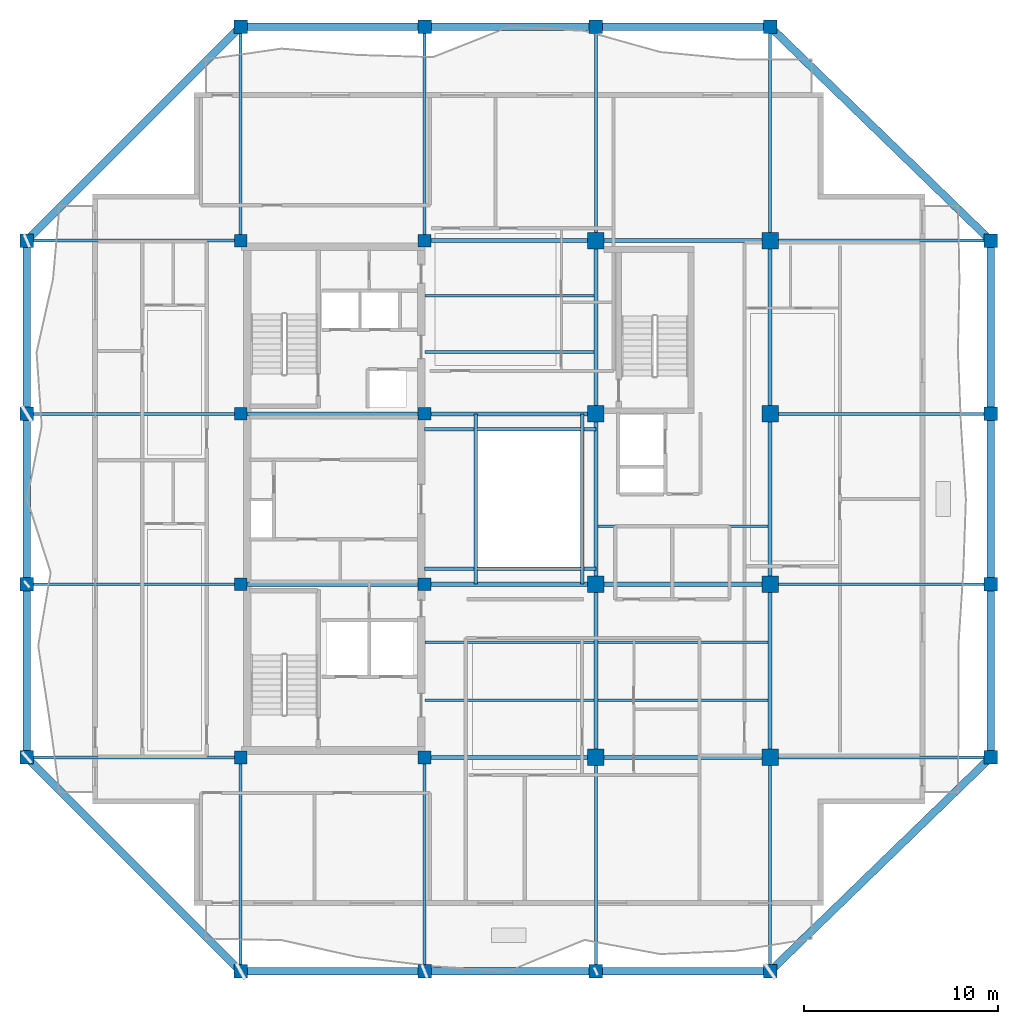
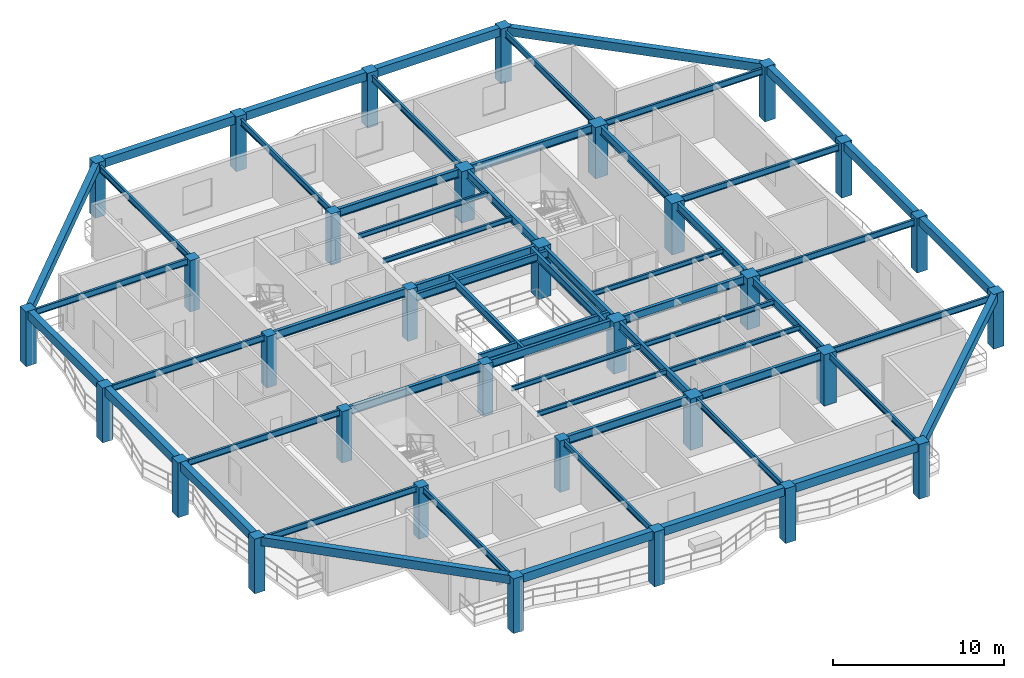
# One storey, part 1 of 11: 58 beams, 32 columns.
"""IFC4 building model written with IfcOpenShell, lengths in metres."""

from ifc_helpers import new_model, si_unit, direction, frame, origin, origin_2d, place, context, subcontext, project, spatial, rectangle, i_section, extrude, material, material_profile, profile_set, type_object, element, save


model = new_model("IFC4")

# Units and contexts
model_context = context("Model", 3, precision=1e-05, world=origin(), true_north=direction((0.0, 1.0)))
body_context = subcontext(model_context, "Body", "Model", "MODEL_VIEW")
ifc_project = project(units=[si_unit("LENGTHUNIT", "METRE"), si_unit("AREAUNIT", "SQUARE_METRE"), si_unit("VOLUMEUNIT", "CUBIC_METRE"), si_unit("PLANEANGLEUNIT", "RADIAN"), si_unit("MASSUNIT", "GRAM", prefix="KILO")], contexts=[model_context])

# Site, building, storey
site_placement = place(None, origin())
site = spatial("IfcSite", under=ifc_project, at=site_placement, CompositionType="ELEMENT")
building_placement = place(site_placement, origin())
building = spatial("IfcBuilding", under=site, at=building_placement, Name="Kundavana Baori Tower", CompositionType="ELEMENT")
storey_placement = place(building_placement, frame((0.0, 0.0, 249.199951171875)))
storey = spatial("IfcBuildingStorey", under=building, at=storey_placement, Name="L61", CompositionType="ELEMENT", Elevation=249.199951171875)

# Columns
ifc_material_1 = material(Name="Concrete C50/60", Category="concrete")
ifc_material_profile_1 = material_profile(ifc_material_1, rectangle(XDim=0.699951171875, YDim=0.699951171875, at=origin_2d()), Name="RC PF 700x700")
ifc_profile_set_1 = profile_set([ifc_material_profile_1], Name="Concrete C50/60")
column_type_1 = type_object("IfcColumnType", Name="COL-PF-700", PredefinedType="COLUMN", material=ifc_profile_set_1)
for number, where, z_axis, x_axis, name in (
    (1, (15.449951171875, 4.199951171875, 0.0), (0.0, 0.0, 1.0), (1.0, 0.0, 0.0), "L61 Stone-Clad Perimeter Frame Column PF-S1"),
    (2, (15.449951171875, 53.0, 0.0), (0.0, 0.0, 1.0), (1.0, 0.0, 0.0), "L61 Stone-Clad Perimeter Frame Column PF-N1"),
    (3, (24.949951171875, 4.199951171875, 0.0), (0.0, 0.0, 1.0), (1.0, 0.0, 0.0), "L61 Stone-Clad Perimeter Frame Column PF-S2"),
    (4, (24.949951171875, 53.0, 0.0), (0.0, 0.0, 1.0), (1.0, 0.0, 0.0), "L61 Stone-Clad Perimeter Frame Column PF-N2"),
    (5, (33.800048828125, 4.199951171875, 0.0), (0.0, 0.0, 1.0), (1.0, 0.0, 0.0), "L61 Stone-Clad Perimeter Frame Column PF-S3"),
    (6, (33.800048828125, 53.0, 0.0), (0.0, 0.0, 1.0), (1.0, 0.0, 0.0), "L61 Stone-Clad Perimeter Frame Column PF-N3"),
    (7, (42.800048828125, 4.199951171875, 0.0), (0.0, 0.0, 1.0), (1.0, 0.0, 0.0), "L61 Stone-Clad Perimeter Frame Column PF-S4"),
    (8, (42.800048828125, 53.0, 0.0), (0.0, 0.0, 1.0), (1.0, 0.0, 0.0), "L61 Stone-Clad Perimeter Frame Column PF-N4"),
    (9, (4.39990234375, 15.25, 0.0), (0.0, 0.0, 1.0), (1.0, 0.0, 0.0), "L61 Stone-Clad Perimeter Frame Column PF-W1"),
    (10, (54.199951171875, 15.25, 0.0), (0.0, 0.0, 1.0), (1.0, 0.0, 0.0), "L61 Stone-Clad Perimeter Frame Column PF-E1"),
    (11, (4.39990234375, 24.199951171875, 0.0), (0.0, 0.0, 1.0), (1.0, 0.0, 0.0), "L61 Stone-Clad Perimeter Frame Column PF-W2"),
    (12, (54.199951171875, 24.199951171875, 0.0), (0.0, 0.0, 1.0), (1.0, 0.0, 0.0), "L61 Stone-Clad Perimeter Frame Column PF-E2"),
    (13, (4.39990234375, 33.0, 0.0), (0.0, 0.0, 1.0), (1.0, 0.0, 0.0), "L61 Stone-Clad Perimeter Frame Column PF-W3"),
    (14, (54.199951171875, 33.0, 0.0), (0.0, 0.0, 1.0), (1.0, 0.0, 0.0), "L61 Stone-Clad Perimeter Frame Column PF-E3"),
    (15, (4.39990234375, 41.949951171875, 0.0), (0.0, 0.0, 1.0), (1.0, 0.0, 0.0), "L61 Stone-Clad Perimeter Frame Column PF-W4"),
    (16, (54.199951171875, 41.949951171875, 0.0), (0.0, 0.0, 1.0), (1.0, 0.0, 0.0), "L61 Stone-Clad Perimeter Frame Column PF-E4"),
):
    element("IfcColumn", number, at=place(storey_placement, frame(where, z_axis=z_axis, x_axis=x_axis)), inside=storey, type_object=column_type_1, Name=name, PredefinedType="COLUMN", context=body_context, shape_type="SweptSolid", body=[
        extrude(rectangle(XDim=0.699951171875, YDim=0.699951171875, at=origin_2d()), origin(), (0.0, 0.0, 1.0), 3.900146484375),
    ])
ifc_material_2 = material(Name="Concrete C50/60", Category="concrete")
ifc_material_profile_2 = material_profile(ifc_material_2, rectangle(XDim=0.64990234375, YDim=0.64990234375, at=origin_2d()), Name="RC 650x650")
ifc_profile_set_2 = profile_set([ifc_material_profile_2], Name="Concrete C50/60")
column_type_2 = type_object("IfcColumnType", Name="COL-RC-650", PredefinedType="COLUMN", material=ifc_profile_set_2)
for number, where, z_axis, x_axis, name in (
    (17, (15.449951171875, 15.25, 0.0), (0.0, 0.0, 1.0), (1.0, 0.0, 0.0), "L61 Interior Column IC-3C"),
    (18, (15.449951171875, 24.199951171875, 0.0), (0.0, 0.0, 1.0), (1.0, 0.0, 0.0), "L61 Interior Column IC-3D"),
    (19, (15.449951171875, 33.0, 0.0), (0.0, 0.0, 1.0), (1.0, 0.0, 0.0), "L61 Interior Column IC-3E"),
    (20, (15.449951171875, 41.949951171875, 0.0), (0.0, 0.0, 1.0), (1.0, 0.0, 0.0), "L61 Interior Column IC-3F"),
    (21, (24.949951171875, 15.25, 0.0), (0.0, 0.0, 1.0), (1.0, 0.0, 0.0), "L61 Interior Column IC-4C"),
    (22, (24.949951171875, 24.199951171875, 0.0), (0.0, 0.0, 1.0), (1.0, 0.0, 0.0), "L61 Interior Column IC-4D"),
    (23, (24.949951171875, 33.0, 0.0), (0.0, 0.0, 1.0), (1.0, 0.0, 0.0), "L61 Interior Column IC-4E"),
    (24, (24.949951171875, 41.949951171875, 0.0), (0.0, 0.0, 1.0), (1.0, 0.0, 0.0), "L61 Interior Column IC-4F"),
):
    element("IfcColumn", number, at=place(storey_placement, frame(where, z_axis=z_axis, x_axis=x_axis)), inside=storey, type_object=column_type_2, Name=name, PredefinedType="COLUMN", context=body_context, shape_type="SweptSolid", body=[
        extrude(rectangle(XDim=0.64990234375, YDim=0.64990234375, at=origin_2d()), origin(), (0.0, 0.0, 1.0), 3.66015625),
    ])
ifc_material_3 = material(Name="Concrete C50/60", Category="concrete")
ifc_material_profile_3 = material_profile(ifc_material_3, rectangle(XDim=0.85009765625, YDim=0.85009765625, at=origin_2d()), Name="RC 850x850")
ifc_profile_set_3 = profile_set([ifc_material_profile_3], Name="Concrete C50/60")
column_type_3 = type_object("IfcColumnType", Name="COL-RC-850", PredefinedType="COLUMN", material=ifc_profile_set_3)
for number, where, z_axis, x_axis, name in (
    (25, (33.800048828125, 15.25, 0.0), (0.0, 0.0, 1.0), (1.0, 0.0, 0.0), "L61 Interior Column IC-5C"),
    (26, (33.800048828125, 24.199951171875, 0.0), (0.0, 0.0, 1.0), (1.0, 0.0, 0.0), "L61 Interior Column IC-5D"),
    (27, (33.800048828125, 33.0, 0.0), (0.0, 0.0, 1.0), (1.0, 0.0, 0.0), "L61 Interior Column IC-5E"),
    (28, (33.800048828125, 41.949951171875, 0.0), (0.0, 0.0, 1.0), (1.0, 0.0, 0.0), "L61 Interior Column IC-5F"),
    (29, (42.800048828125, 15.25, 0.0), (0.0, 0.0, 1.0), (1.0, 0.0, 0.0), "L61 Interior Column IC-6C"),
    (30, (42.800048828125, 24.199951171875, 0.0), (0.0, 0.0, 1.0), (1.0, 0.0, 0.0), "L61 Interior Column IC-6D"),
    (31, (42.800048828125, 33.0, 0.0), (0.0, 0.0, 1.0), (1.0, 0.0, 0.0), "L61 Interior Column IC-6E"),
    (32, (42.800048828125, 41.949951171875, 0.0), (0.0, 0.0, 1.0), (1.0, 0.0, 0.0), "L61 Interior Column IC-6F"),
):
    element("IfcColumn", number, at=place(storey_placement, frame(where, z_axis=z_axis, x_axis=x_axis)), inside=storey, type_object=column_type_3, Name=name, PredefinedType="COLUMN", context=body_context, shape_type="SweptSolid", body=[
        extrude(rectangle(XDim=0.85009765625, YDim=0.85009765625, at=origin_2d()), origin(), (0.0, 0.0, 1.0), 3.66015625),
    ])

# Beams
ifc_material_4 = material(Name="Structural Steel S355JR", Category="steel")
ifc_material_profile_4 = material_profile(ifc_material_4, i_section(OverallWidth=0.139892578125, OverallDepth=0.35009765625, WebThickness=0.008056640625, FlangeThickness=0.01416015625, FilletRadius=0.013916015625, at=origin_2d()), Name="ISMB 350")
ifc_profile_set_4 = profile_set([ifc_material_profile_4], Name="Structural Steel S355JR")
beam_type_1 = type_object("IfcBeamType", Name="BM-JST-350", PredefinedType="JOIST", material=ifc_profile_set_4)
for number, where, z_axis, x_axis, name in (
    (33, (24.97998046875, 18.199951171875, 3.485107421875), (1.0, 0.0, 0.0), (0.0, 1.0, 0.0), "L61 Central Bay Composite Floor Joist C1"),
    (34, (24.97998046875, 21.199951171875, 3.485107421875), (1.0, 0.0, 0.0), (0.0, 1.0, 0.0), "L61 Central Bay Composite Floor Joist C2"),
    (35, (24.97998046875, 36.199951171875, 3.485107421875), (1.0, 0.0, 0.0), (0.0, 1.0, 0.0), "L61 Central Bay Composite Floor Joist C3"),
    (36, (24.97998046875, 39.10009765625, 3.485107421875), (1.0, 0.0, 0.0), (0.0, 1.0, 0.0), "L61 Central Bay Composite Floor Joist C4"),
):
    element("IfcBeam", number, at=place(storey_placement, frame(where, z_axis=z_axis, x_axis=x_axis)), inside=storey, type_object=beam_type_1, Name=name, PredefinedType="JOIST", context=body_context, shape_type="SweptSolid", body=[
        extrude(i_section(OverallWidth=0.139892578125, OverallDepth=0.35009765625, WebThickness=0.008056640625, FlangeThickness=0.01416015625, FilletRadius=0.013916015625, at=origin_2d()), origin(), (0.0, 0.0, 1.0), 8.715087890625),
    ])
for number, where, z_axis, x_axis, name in (
    (37, (33.905029296875, 18.199951171875, 3.485107421875), (1.0, 0.0, 0.0), (0.0, 1.0, 0.0), "L61 East Bay Composite Floor Joist E1"),
    (38, (33.905029296875, 21.199951171875, 3.485107421875), (1.0, 0.0, 0.0), (0.0, 1.0, 0.0), "L61 East Bay Composite Floor Joist E2"),
    (39, (33.905029296875, 27.199951171875, 3.485107421875), (1.0, 0.0, 0.0), (0.0, 1.0, 0.0), "L61 East Bay Composite Floor Joist E3"),
):
    element("IfcBeam", number, at=place(storey_placement, frame(where, z_axis=z_axis, x_axis=x_axis)), inside=storey, type_object=beam_type_1, Name=name, PredefinedType="JOIST", context=body_context, shape_type="SweptSolid", body=[
        extrude(i_section(OverallWidth=0.139892578125, OverallDepth=0.35009765625, WebThickness=0.008056640625, FlangeThickness=0.01416015625, FilletRadius=0.013916015625, at=origin_2d()), origin(), (0.0, 0.0, 1.0), 8.7900390625),
    ])
ifc_material_5 = material(Name="Concrete C50/60", Category="concrete")
ifc_material_profile_5 = material_profile(ifc_material_5, rectangle(XDim=0.39990234375, YDim=0.60009765625, at=origin_2d()), Name="RC BM 400x600")
ifc_profile_set_5 = profile_set([ifc_material_profile_5], Name="Concrete C50/60")
beam_type_2 = type_object("IfcBeamType", Name="BM-PF-600", PredefinedType="SPANDREL", material=ifc_profile_set_5)
beam_1_placement = place(storey_placement, frame((15.449951171875, 4.199951171875, 3.60009765625), z_axis=(1.0, 0.0, 0.0), x_axis=(0.0, 1.0, 0.0)))
element("IfcBeam", 40, at=beam_1_placement, inside=storey, type_object=beam_type_2, Name="L61 Perimeter Frame Ring Beam S1", PredefinedType="SPANDREL", context=body_context, shape_type="SweptSolid", body=[
    extrude(rectangle(XDim=0.39990234375, YDim=0.60009765625, at=origin_2d()), origin(), (0.0, 0.0, 1.0), 9.5),
])
beam_2_placement = place(storey_placement, frame((24.949951171875, 4.199951171875, 3.60009765625), z_axis=(1.0, 0.0, 0.0), x_axis=(0.0, 1.0, 0.0)))
element("IfcBeam", 41, at=beam_2_placement, inside=storey, type_object=beam_type_2, Name="L61 Perimeter Frame Ring Beam S2", PredefinedType="SPANDREL", context=body_context, shape_type="SweptSolid", body=[
    extrude(rectangle(XDim=0.39990234375, YDim=0.60009765625, at=origin_2d()), origin(), (0.0, 0.0, 1.0), 8.85009765625),
])
beam_3_placement = place(storey_placement, frame((33.800048828125, 4.199951171875, 3.60009765625), z_axis=(1.0, 0.0, 0.0), x_axis=(0.0, 1.0, 0.0)))
element("IfcBeam", 42, at=beam_3_placement, inside=storey, type_object=beam_type_2, Name="L61 Perimeter Frame Ring Beam S3", PredefinedType="SPANDREL", context=body_context, shape_type="SweptSolid", body=[
    extrude(rectangle(XDim=0.39990234375, YDim=0.60009765625, at=origin_2d()), origin(), (0.0, 0.0, 1.0), 9.0),
])
beam_4_placement = place(storey_placement, frame((15.449951171875, 53.0, 3.60009765625), z_axis=(1.0, 0.0, 0.0), x_axis=(0.0, 1.0, 0.0)))
element("IfcBeam", 43, at=beam_4_placement, inside=storey, type_object=beam_type_2, Name="L61 Perimeter Frame Ring Beam N1", PredefinedType="SPANDREL", context=body_context, shape_type="SweptSolid", body=[
    extrude(rectangle(XDim=0.39990234375, YDim=0.60009765625, at=origin_2d()), origin(), (0.0, 0.0, 1.0), 9.5),
])
beam_5_placement = place(storey_placement, frame((24.949951171875, 53.0, 3.60009765625), z_axis=(1.0, 0.0, 0.0), x_axis=(0.0, 1.0, 0.0)))
element("IfcBeam", 44, at=beam_5_placement, inside=storey, type_object=beam_type_2, Name="L61 Perimeter Frame Ring Beam N2", PredefinedType="SPANDREL", context=body_context, shape_type="SweptSolid", body=[
    extrude(rectangle(XDim=0.39990234375, YDim=0.60009765625, at=origin_2d()), origin(), (0.0, 0.0, 1.0), 8.85009765625),
])
beam_6_placement = place(storey_placement, frame((33.800048828125, 53.0, 3.60009765625), z_axis=(1.0, 0.0, 0.0), x_axis=(0.0, 1.0, 0.0)))
element("IfcBeam", 45, at=beam_6_placement, inside=storey, type_object=beam_type_2, Name="L61 Perimeter Frame Ring Beam N3", PredefinedType="SPANDREL", context=body_context, shape_type="SweptSolid", body=[
    extrude(rectangle(XDim=0.39990234375, YDim=0.60009765625, at=origin_2d()), origin(), (0.0, 0.0, 1.0), 9.0),
])
beam_7_placement = place(storey_placement, frame((4.39990234375, 15.25, 3.60009765625), z_axis=(0.0, 1.0, 0.0), x_axis=(-1.0, 0.0, 0.0)))
element("IfcBeam", 46, at=beam_7_placement, inside=storey, type_object=beam_type_2, Name="L61 Perimeter Frame Ring Beam W1", PredefinedType="SPANDREL", context=body_context, shape_type="SweptSolid", body=[
    extrude(rectangle(XDim=0.39990234375, YDim=0.60009765625, at=origin_2d()), origin(), (0.0, 0.0, 1.0), 8.949951171875),
])
beam_8_placement = place(storey_placement, frame((4.39990234375, 24.199951171875, 3.60009765625), z_axis=(0.0, 1.0, 0.0), x_axis=(-1.0, 0.0, 0.0)))
element("IfcBeam", 47, at=beam_8_placement, inside=storey, type_object=beam_type_2, Name="L61 Perimeter Frame Ring Beam W2", PredefinedType="SPANDREL", context=body_context, shape_type="SweptSolid", body=[
    extrude(rectangle(XDim=0.39990234375, YDim=0.60009765625, at=origin_2d()), origin(), (0.0, 0.0, 1.0), 8.800048828125),
])
for number, where, z_axis, x_axis, name in (
    (48, (4.39990234375, 33.0, 3.60009765625), (0.0, 1.0, 0.0), (-1.0, 0.0, 0.0), "L61 Perimeter Frame Ring Beam W3"),
    (49, (54.199951171875, 15.25, 3.60009765625), (0.0, 1.0, 0.0), (-1.0, 0.0, 0.0), "L61 Perimeter Frame Ring Beam E1"),
):
    element("IfcBeam", number, at=place(storey_placement, frame(where, z_axis=z_axis, x_axis=x_axis)), inside=storey, type_object=beam_type_2, Name=name, PredefinedType="SPANDREL", context=body_context, shape_type="SweptSolid", body=[
        extrude(rectangle(XDim=0.39990234375, YDim=0.60009765625, at=origin_2d()), origin(), (0.0, 0.0, 1.0), 8.949951171875),
    ])
beam_9_placement = place(storey_placement, frame((54.199951171875, 24.199951171875, 3.60009765625), z_axis=(0.0, 1.0, 0.0), x_axis=(-1.0, 0.0, 0.0)))
element("IfcBeam", 50, at=beam_9_placement, inside=storey, type_object=beam_type_2, Name="L61 Perimeter Frame Ring Beam E2", PredefinedType="SPANDREL", context=body_context, shape_type="SweptSolid", body=[
    extrude(rectangle(XDim=0.39990234375, YDim=0.60009765625, at=origin_2d()), origin(), (0.0, 0.0, 1.0), 8.800048828125),
])
beam_10_placement = place(storey_placement, frame((54.199951171875, 33.0, 3.60009765625), z_axis=(0.0, 1.0, 0.0), x_axis=(-1.0, 0.0, 0.0)))
element("IfcBeam", 51, at=beam_10_placement, inside=storey, type_object=beam_type_2, Name="L61 Perimeter Frame Ring Beam E3", PredefinedType="SPANDREL", context=body_context, shape_type="SweptSolid", body=[
    extrude(rectangle(XDim=0.39990234375, YDim=0.60009765625, at=origin_2d()), origin(), (0.0, 0.0, 1.0), 8.949951171875),
])
beam_11_placement = place(storey_placement, frame((15.449951171875, 4.199951171875, 3.60009765625), z_axis=(-0.707106781187, 0.707106781187, 0.0), x_axis=(-0.707106781187, -0.707106781187, 0.0)))
element("IfcBeam", 52, at=beam_11_placement, inside=storey, type_object=beam_type_2, Name="L61 Notched Corner Perimeter Beam SW", PredefinedType="SPANDREL", context=body_context, shape_type="SweptSolid", body=[
    extrude(rectangle(XDim=0.39990234375, YDim=0.60009765625, at=origin_2d()), origin(), (0.0, 0.0, 1.0), 15.627197265625),
])
beam_12_placement = place(storey_placement, frame((42.800048828125, 4.199951171875, 3.60009765625), z_axis=(0.718038944492, 0.696002926857, 0.0), x_axis=(-0.696002926857, 0.718038944492, 0.0)))
element("IfcBeam", 53, at=beam_12_placement, inside=storey, type_object=beam_type_2, Name="L61 Notched Corner Perimeter Beam SE", PredefinedType="SPANDREL", context=body_context, shape_type="SweptSolid", body=[
    extrude(rectangle(XDim=0.39990234375, YDim=0.60009765625, at=origin_2d()), origin(), (0.0, 0.0, 1.0), 15.87646484375),
])
beam_13_placement = place(storey_placement, frame((15.449951171875, 53.0, 3.60009765625), z_axis=(-0.707106781187, -0.707106781187, 0.0), x_axis=(0.707106781187, -0.707106781187, 0.0)))
element("IfcBeam", 54, at=beam_13_placement, inside=storey, type_object=beam_type_2, Name="L61 Notched Corner Perimeter Beam NW", PredefinedType="SPANDREL", context=body_context, shape_type="SweptSolid", body=[
    extrude(rectangle(XDim=0.39990234375, YDim=0.60009765625, at=origin_2d()), origin(), (0.0, 0.0, 1.0), 15.627197265625),
])
beam_14_placement = place(storey_placement, frame((42.800048828125, 53.0, 3.60009765625), z_axis=(0.718038944492, -0.696002926857, 0.0), x_axis=(0.696002926857, 0.718038944492, 0.0)))
element("IfcBeam", 55, at=beam_14_placement, inside=storey, type_object=beam_type_2, Name="L61 Notched Corner Perimeter Beam NE", PredefinedType="SPANDREL", context=body_context, shape_type="SweptSolid", body=[
    extrude(rectangle(XDim=0.39990234375, YDim=0.60009765625, at=origin_2d()), origin(), (0.0, 0.0, 1.0), 15.87646484375),
])
ifc_material_6 = material(Name="Structural Steel S355JR", Category="steel")
ifc_material_profile_6 = material_profile(ifc_material_6, i_section(OverallWidth=0.18994140625, OverallDepth=0.550048828125, WebThickness=0.01123046875, FlangeThickness=0.019287109375, FilletRadius=0.01806640625, at=origin_2d()), Name="ISMB 550")
ifc_profile_set_6 = profile_set([ifc_material_profile_6], Name="Structural Steel S355JR")
beam_type_3 = type_object("IfcBeamType", Name="BM-ST-550", PredefinedType="BEAM", material=ifc_profile_set_6)
for number, where, z_axis, x_axis, name in (
    (56, (27.60009765625, 24.199951171875, 3.385009765625), (0.0, 1.0, 0.0), (-1.0, 0.0, 0.0), "L61 Atrium West Edge Beam"),
    (57, (33.10009765625, 24.199951171875, 3.385009765625), (0.0, 1.0, 0.0), (-1.0, 0.0, 0.0), "L61 Atrium East Edge Beam"),
):
    element("IfcBeam", number, at=place(storey_placement, frame(where, z_axis=z_axis, x_axis=x_axis)), inside=storey, type_object=beam_type_3, Name=name, PredefinedType="BEAM", context=body_context, shape_type="SweptSolid", body=[
        extrude(i_section(OverallWidth=0.18994140625, OverallDepth=0.550048828125, WebThickness=0.01123046875, FlangeThickness=0.019287109375, FilletRadius=0.01806640625, at=origin_2d()), origin(), (0.0, 0.0, 1.0), 8.800048828125),
    ])
for number, where, z_axis, x_axis, name in (
    (58, (24.949951171875, 25.0, 3.385009765625), (1.0, 0.0, 0.0), (0.0, 1.0, 0.0), "L61 Atrium South Edge Beam"),
    (59, (24.949951171875, 32.199951171875, 3.385009765625), (1.0, 0.0, 0.0), (0.0, 1.0, 0.0), "L61 Atrium North Edge Beam"),
):
    element("IfcBeam", number, at=place(storey_placement, frame(where, z_axis=z_axis, x_axis=x_axis)), inside=storey, type_object=beam_type_3, Name=name, PredefinedType="BEAM", context=body_context, shape_type="SweptSolid", body=[
        extrude(i_section(OverallWidth=0.18994140625, OverallDepth=0.550048828125, WebThickness=0.01123046875, FlangeThickness=0.019287109375, FilletRadius=0.01806640625, at=origin_2d()), origin(), (0.0, 0.0, 1.0), 8.85009765625),
    ])
ifc_material_7 = material(Name="Structural Steel S355JR", Category="steel")
ifc_material_profile_7 = material_profile(ifc_material_7, i_section(OverallWidth=0.2099609375, OverallDepth=0.60009765625, WebThickness=0.011962890625, FlangeThickness=0.020751953125, FilletRadius=0.02001953125, at=origin_2d()), Name="ISMB 600")
ifc_profile_set_7 = profile_set([ifc_material_profile_7], Name="Structural Steel S355JR")
beam_type_4 = type_object("IfcBeamType", Name="BM-ST-600", PredefinedType="BEAM", material=ifc_profile_set_7)
beam_15_placement = place(storey_placement, frame((24.949951171875, 15.25, 3.360107421875), z_axis=(1.0, 0.0, 0.0), x_axis=(0.0, 1.0, 0.0)))
element("IfcBeam", 60, at=beam_15_placement, inside=storey, type_object=beam_type_4, Name="L61 Primary Grid Girder GX-1-2", PredefinedType="BEAM", context=body_context, shape_type="SweptSolid", body=[
    extrude(i_section(OverallWidth=0.2099609375, OverallDepth=0.60009765625, WebThickness=0.011962890625, FlangeThickness=0.020751953125, FilletRadius=0.02001953125, at=origin_2d()), origin(), (0.0, 0.0, 1.0), 8.85009765625),
])
beam_16_placement = place(storey_placement, frame((33.800048828125, 15.25, 3.360107421875), z_axis=(1.0, 0.0, 0.0), x_axis=(0.0, 1.0, 0.0)))
element("IfcBeam", 61, at=beam_16_placement, inside=storey, type_object=beam_type_4, Name="L61 Primary Grid Girder GX-1-3", PredefinedType="BEAM", context=body_context, shape_type="SweptSolid", body=[
    extrude(i_section(OverallWidth=0.2099609375, OverallDepth=0.60009765625, WebThickness=0.011962890625, FlangeThickness=0.020751953125, FilletRadius=0.02001953125, at=origin_2d()), origin(), (0.0, 0.0, 1.0), 9.0),
])
beam_17_placement = place(storey_placement, frame((15.449951171875, 24.199951171875, 3.360107421875), z_axis=(1.0, 0.0, 0.0), x_axis=(0.0, 1.0, 0.0)))
element("IfcBeam", 62, at=beam_17_placement, inside=storey, type_object=beam_type_4, Name="L61 Primary Grid Girder GX-2-1", PredefinedType="BEAM", context=body_context, shape_type="SweptSolid", body=[
    extrude(i_section(OverallWidth=0.2099609375, OverallDepth=0.60009765625, WebThickness=0.011962890625, FlangeThickness=0.020751953125, FilletRadius=0.02001953125, at=origin_2d()), origin(), (0.0, 0.0, 1.0), 9.5),
])
beam_18_placement = place(storey_placement, frame((24.949951171875, 24.199951171875, 3.360107421875), z_axis=(1.0, 0.0, 0.0), x_axis=(0.0, 1.0, 0.0)))
element("IfcBeam", 63, at=beam_18_placement, inside=storey, type_object=beam_type_4, Name="L61 Primary Grid Girder GX-2-2", PredefinedType="BEAM", context=body_context, shape_type="SweptSolid", body=[
    extrude(i_section(OverallWidth=0.2099609375, OverallDepth=0.60009765625, WebThickness=0.011962890625, FlangeThickness=0.020751953125, FilletRadius=0.02001953125, at=origin_2d()), origin(), (0.0, 0.0, 1.0), 8.85009765625),
])
beam_19_placement = place(storey_placement, frame((33.800048828125, 24.199951171875, 3.360107421875), z_axis=(1.0, 0.0, 0.0), x_axis=(0.0, 1.0, 0.0)))
element("IfcBeam", 64, at=beam_19_placement, inside=storey, type_object=beam_type_4, Name="L61 Primary Grid Girder GX-2-3", PredefinedType="BEAM", context=body_context, shape_type="SweptSolid", body=[
    extrude(i_section(OverallWidth=0.2099609375, OverallDepth=0.60009765625, WebThickness=0.011962890625, FlangeThickness=0.020751953125, FilletRadius=0.02001953125, at=origin_2d()), origin(), (0.0, 0.0, 1.0), 9.0),
])
beam_20_placement = place(storey_placement, frame((15.449951171875, 33.0, 3.360107421875), z_axis=(1.0, 0.0, 0.0), x_axis=(0.0, 1.0, 0.0)))
element("IfcBeam", 65, at=beam_20_placement, inside=storey, type_object=beam_type_4, Name="L61 Primary Grid Girder GX-3-1", PredefinedType="BEAM", context=body_context, shape_type="SweptSolid", body=[
    extrude(i_section(OverallWidth=0.2099609375, OverallDepth=0.60009765625, WebThickness=0.011962890625, FlangeThickness=0.020751953125, FilletRadius=0.02001953125, at=origin_2d()), origin(), (0.0, 0.0, 1.0), 9.5),
])
for number, where, z_axis, x_axis, name in (
    (66, (24.949951171875, 33.0, 3.360107421875), (1.0, 0.0, 0.0), (0.0, 1.0, 0.0), "L61 Primary Grid Girder GX-3-2"),
    (67, (24.949951171875, 41.949951171875, 3.360107421875), (1.0, 0.0, 0.0), (0.0, 1.0, 0.0), "L61 Primary Grid Girder GX-4-2"),
):
    element("IfcBeam", number, at=place(storey_placement, frame(where, z_axis=z_axis, x_axis=x_axis)), inside=storey, type_object=beam_type_4, Name=name, PredefinedType="BEAM", context=body_context, shape_type="SweptSolid", body=[
        extrude(i_section(OverallWidth=0.2099609375, OverallDepth=0.60009765625, WebThickness=0.011962890625, FlangeThickness=0.020751953125, FilletRadius=0.02001953125, at=origin_2d()), origin(), (0.0, 0.0, 1.0), 8.85009765625),
    ])
beam_21_placement = place(storey_placement, frame((33.800048828125, 41.949951171875, 3.360107421875), z_axis=(1.0, 0.0, 0.0), x_axis=(0.0, 1.0, 0.0)))
element("IfcBeam", 68, at=beam_21_placement, inside=storey, type_object=beam_type_4, Name="L61 Primary Grid Girder GX-4-3", PredefinedType="BEAM", context=body_context, shape_type="SweptSolid", body=[
    extrude(i_section(OverallWidth=0.2099609375, OverallDepth=0.60009765625, WebThickness=0.011962890625, FlangeThickness=0.020751953125, FilletRadius=0.02001953125, at=origin_2d()), origin(), (0.0, 0.0, 1.0), 9.0),
])
beam_22_placement = place(storey_placement, frame((33.800048828125, 15.25, 3.360107421875), z_axis=(0.0, 1.0, 0.0), x_axis=(-1.0, 0.0, 0.0)))
element("IfcBeam", 69, at=beam_22_placement, inside=storey, type_object=beam_type_4, Name="L61 Primary Grid Girder GY-3-1", PredefinedType="BEAM", context=body_context, shape_type="SweptSolid", body=[
    extrude(i_section(OverallWidth=0.2099609375, OverallDepth=0.60009765625, WebThickness=0.011962890625, FlangeThickness=0.020751953125, FilletRadius=0.02001953125, at=origin_2d()), origin(), (0.0, 0.0, 1.0), 8.949951171875),
])
beam_23_placement = place(storey_placement, frame((33.800048828125, 24.199951171875, 3.360107421875), z_axis=(0.0, 1.0, 0.0), x_axis=(-1.0, 0.0, 0.0)))
element("IfcBeam", 70, at=beam_23_placement, inside=storey, type_object=beam_type_4, Name="L61 Primary Grid Girder GY-3-2", PredefinedType="BEAM", context=body_context, shape_type="SweptSolid", body=[
    extrude(i_section(OverallWidth=0.2099609375, OverallDepth=0.60009765625, WebThickness=0.011962890625, FlangeThickness=0.020751953125, FilletRadius=0.02001953125, at=origin_2d()), origin(), (0.0, 0.0, 1.0), 8.800048828125),
])
for number, where, z_axis, x_axis, name in (
    (71, (33.800048828125, 33.0, 3.360107421875), (0.0, 1.0, 0.0), (-1.0, 0.0, 0.0), "L61 Primary Grid Girder GY-3-3"),
    (72, (42.800048828125, 15.25, 3.360107421875), (0.0, 1.0, 0.0), (-1.0, 0.0, 0.0), "L61 Primary Grid Girder GY-4-1"),
):
    element("IfcBeam", number, at=place(storey_placement, frame(where, z_axis=z_axis, x_axis=x_axis)), inside=storey, type_object=beam_type_4, Name=name, PredefinedType="BEAM", context=body_context, shape_type="SweptSolid", body=[
        extrude(i_section(OverallWidth=0.2099609375, OverallDepth=0.60009765625, WebThickness=0.011962890625, FlangeThickness=0.020751953125, FilletRadius=0.02001953125, at=origin_2d()), origin(), (0.0, 0.0, 1.0), 8.949951171875),
    ])
beam_24_placement = place(storey_placement, frame((42.800048828125, 24.199951171875, 3.360107421875), z_axis=(0.0, 1.0, 0.0), x_axis=(-1.0, 0.0, 0.0)))
element("IfcBeam", 73, at=beam_24_placement, inside=storey, type_object=beam_type_4, Name="L61 Primary Grid Girder GY-4-2", PredefinedType="BEAM", context=body_context, shape_type="SweptSolid", body=[
    extrude(i_section(OverallWidth=0.2099609375, OverallDepth=0.60009765625, WebThickness=0.011962890625, FlangeThickness=0.020751953125, FilletRadius=0.02001953125, at=origin_2d()), origin(), (0.0, 0.0, 1.0), 8.800048828125),
])
beam_25_placement = place(storey_placement, frame((42.800048828125, 33.0, 3.360107421875), z_axis=(0.0, 1.0, 0.0), x_axis=(-1.0, 0.0, 0.0)))
element("IfcBeam", 74, at=beam_25_placement, inside=storey, type_object=beam_type_4, Name="L61 Primary Grid Girder GY-4-3", PredefinedType="BEAM", context=body_context, shape_type="SweptSolid", body=[
    extrude(i_section(OverallWidth=0.2099609375, OverallDepth=0.60009765625, WebThickness=0.011962890625, FlangeThickness=0.020751953125, FilletRadius=0.02001953125, at=origin_2d()), origin(), (0.0, 0.0, 1.0), 8.949951171875),
])
ifc_material_8 = material(Name="Structural Steel S355JR", Category="steel")
ifc_material_profile_8 = material_profile(ifc_material_8, i_section(OverallWidth=0.14990234375, OverallDepth=0.449951171875, WebThickness=0.009521484375, FlangeThickness=0.017333984375, FilletRadius=0.014892578125, at=origin_2d()), Name="ISMB 450")
ifc_profile_set_8 = profile_set([ifc_material_profile_8], Name="Structural Steel S355JR")
beam_type_5 = type_object("IfcBeamType", Name="BM-TIE-450", PredefinedType="BEAM", material=ifc_profile_set_8)
for number, where, z_axis, x_axis, name in (
    (75, (15.449951171875, 15.25, 3.43505859375), (0.0, -1.0, 0.0), (1.0, 0.0, 0.0), "L61 South Radial Loggia Tie Beam S1"),
    (76, (15.449951171875, 41.949951171875, 3.43505859375), (0.0, 1.0, 0.0), (-1.0, 0.0, 0.0), "L61 North Radial Loggia Tie Beam N1"),
    (77, (24.949951171875, 15.25, 3.43505859375), (0.0, -1.0, 0.0), (1.0, 0.0, 0.0), "L61 South Radial Loggia Tie Beam S2"),
    (78, (24.949951171875, 41.949951171875, 3.43505859375), (0.0, 1.0, 0.0), (-1.0, 0.0, 0.0), "L61 North Radial Loggia Tie Beam N2"),
    (79, (33.800048828125, 15.25, 3.43505859375), (0.0, -1.0, 0.0), (1.0, 0.0, 0.0), "L61 South Radial Loggia Tie Beam S3"),
    (80, (33.800048828125, 41.949951171875, 3.43505859375), (0.0, 1.0, 0.0), (-1.0, 0.0, 0.0), "L61 North Radial Loggia Tie Beam N3"),
    (81, (42.800048828125, 15.25, 3.43505859375), (0.0, -1.0, 0.0), (1.0, 0.0, 0.0), "L61 South Radial Loggia Tie Beam S4"),
    (82, (42.800048828125, 41.949951171875, 3.43505859375), (0.0, 1.0, 0.0), (-1.0, 0.0, 0.0), "L61 North Radial Loggia Tie Beam N4"),
    (83, (15.449951171875, 15.25, 3.43505859375), (-1.0, 0.0, 0.0), (0.0, -1.0, 0.0), "L61 West Radial Loggia Tie Beam W1"),
):
    element("IfcBeam", number, at=place(storey_placement, frame(where, z_axis=z_axis, x_axis=x_axis)), inside=storey, type_object=beam_type_5, Name=name, PredefinedType="BEAM", context=body_context, shape_type="SweptSolid", body=[
        extrude(i_section(OverallWidth=0.14990234375, OverallDepth=0.449951171875, WebThickness=0.009521484375, FlangeThickness=0.017333984375, FilletRadius=0.014892578125, at=origin_2d()), origin(), (0.0, 0.0, 1.0), 11.050048828125),
    ])
beam_26_placement = place(storey_placement, frame((42.800048828125, 15.25, 3.43505859375), z_axis=(1.0, 0.0, 0.0), x_axis=(0.0, 1.0, 0.0)))
element("IfcBeam", 84, at=beam_26_placement, inside=storey, type_object=beam_type_5, Name="L61 East Radial Loggia Tie Beam E1", PredefinedType="BEAM", context=body_context, shape_type="SweptSolid", body=[
    extrude(i_section(OverallWidth=0.14990234375, OverallDepth=0.449951171875, WebThickness=0.009521484375, FlangeThickness=0.017333984375, FilletRadius=0.014892578125, at=origin_2d()), origin(), (0.0, 0.0, 1.0), 11.39990234375),
])
beam_27_placement = place(storey_placement, frame((15.449951171875, 24.199951171875, 3.43505859375), z_axis=(-1.0, 0.0, 0.0), x_axis=(0.0, -1.0, 0.0)))
element("IfcBeam", 85, at=beam_27_placement, inside=storey, type_object=beam_type_5, Name="L61 West Radial Loggia Tie Beam W2", PredefinedType="BEAM", context=body_context, shape_type="SweptSolid", body=[
    extrude(i_section(OverallWidth=0.14990234375, OverallDepth=0.449951171875, WebThickness=0.009521484375, FlangeThickness=0.017333984375, FilletRadius=0.014892578125, at=origin_2d()), origin(), (0.0, 0.0, 1.0), 11.050048828125),
])
beam_28_placement = place(storey_placement, frame((42.800048828125, 24.199951171875, 3.43505859375), z_axis=(1.0, 0.0, 0.0), x_axis=(0.0, 1.0, 0.0)))
element("IfcBeam", 86, at=beam_28_placement, inside=storey, type_object=beam_type_5, Name="L61 East Radial Loggia Tie Beam E2", PredefinedType="BEAM", context=body_context, shape_type="SweptSolid", body=[
    extrude(i_section(OverallWidth=0.14990234375, OverallDepth=0.449951171875, WebThickness=0.009521484375, FlangeThickness=0.017333984375, FilletRadius=0.014892578125, at=origin_2d()), origin(), (0.0, 0.0, 1.0), 11.39990234375),
])
beam_29_placement = place(storey_placement, frame((15.449951171875, 33.0, 3.43505859375), z_axis=(-1.0, 0.0, 0.0), x_axis=(0.0, -1.0, 0.0)))
element("IfcBeam", 87, at=beam_29_placement, inside=storey, type_object=beam_type_5, Name="L61 West Radial Loggia Tie Beam W3", PredefinedType="BEAM", context=body_context, shape_type="SweptSolid", body=[
    extrude(i_section(OverallWidth=0.14990234375, OverallDepth=0.449951171875, WebThickness=0.009521484375, FlangeThickness=0.017333984375, FilletRadius=0.014892578125, at=origin_2d()), origin(), (0.0, 0.0, 1.0), 11.050048828125),
])
beam_30_placement = place(storey_placement, frame((42.800048828125, 33.0, 3.43505859375), z_axis=(1.0, 0.0, 0.0), x_axis=(0.0, 1.0, 0.0)))
element("IfcBeam", 88, at=beam_30_placement, inside=storey, type_object=beam_type_5, Name="L61 East Radial Loggia Tie Beam E3", PredefinedType="BEAM", context=body_context, shape_type="SweptSolid", body=[
    extrude(i_section(OverallWidth=0.14990234375, OverallDepth=0.449951171875, WebThickness=0.009521484375, FlangeThickness=0.017333984375, FilletRadius=0.014892578125, at=origin_2d()), origin(), (0.0, 0.0, 1.0), 11.39990234375),
])
beam_31_placement = place(storey_placement, frame((15.449951171875, 41.949951171875, 3.43505859375), z_axis=(-1.0, 0.0, 0.0), x_axis=(0.0, -1.0, 0.0)))
element("IfcBeam", 89, at=beam_31_placement, inside=storey, type_object=beam_type_5, Name="L61 West Radial Loggia Tie Beam W4", PredefinedType="BEAM", context=body_context, shape_type="SweptSolid", body=[
    extrude(i_section(OverallWidth=0.14990234375, OverallDepth=0.449951171875, WebThickness=0.009521484375, FlangeThickness=0.017333984375, FilletRadius=0.014892578125, at=origin_2d()), origin(), (0.0, 0.0, 1.0), 11.050048828125),
])
beam_32_placement = place(storey_placement, frame((42.800048828125, 41.949951171875, 3.43505859375), z_axis=(1.0, 0.0, 0.0), x_axis=(0.0, 1.0, 0.0)))
element("IfcBeam", 90, at=beam_32_placement, inside=storey, type_object=beam_type_5, Name="L61 East Radial Loggia Tie Beam E4", PredefinedType="BEAM", context=body_context, shape_type="SweptSolid", body=[
    extrude(i_section(OverallWidth=0.14990234375, OverallDepth=0.449951171875, WebThickness=0.009521484375, FlangeThickness=0.017333984375, FilletRadius=0.014892578125, at=origin_2d()), origin(), (0.0, 0.0, 1.0), 11.39990234375),
])

save(model, "model.ifc")
